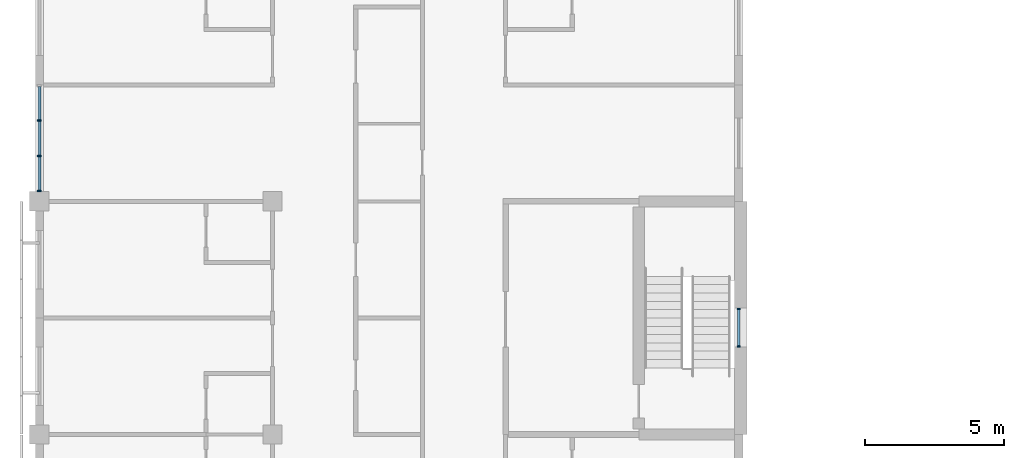
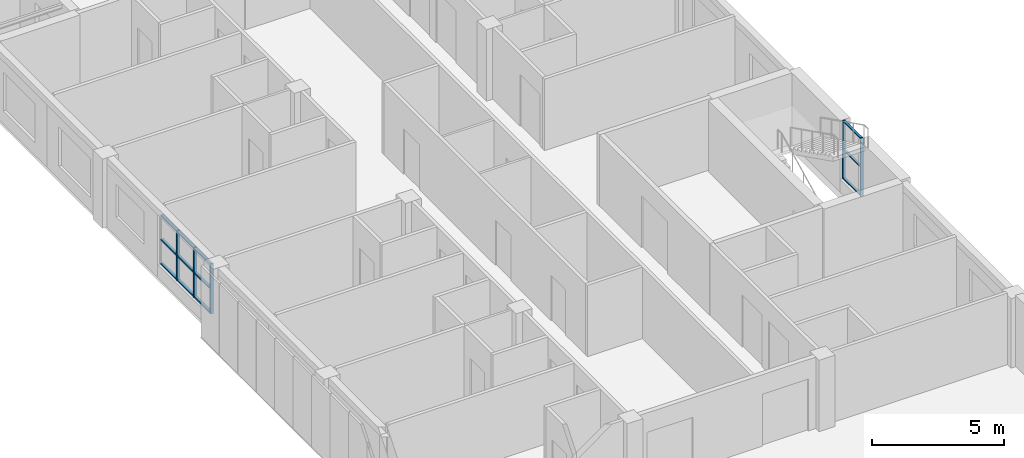
# One storey, part 7 of 48: 17 members, 2 elements without a shape of their own.
"""IFC4 building model written with IfcOpenShell, lengths in metres."""

from ifc_helpers import new_model, si_unit, direction, frame, origin, origin_2d, place, context, subcontext, project, spatial, rectangle, extrude, material, material_profile, profile_set, type_object, element, aggregate, save


model = new_model("IFC4")

# Units and contexts
model_context = context("Model", 3, precision=1e-05, world=origin(), true_north=direction((0.0, 1.0)))
body_context = subcontext(model_context, "Body", "Model", "MODEL_VIEW")
ifc_project = project(units=[si_unit("LENGTHUNIT", "METRE"), si_unit("AREAUNIT", "SQUARE_METRE"), si_unit("VOLUMEUNIT", "CUBIC_METRE"), si_unit("PLANEANGLEUNIT", "RADIAN"), si_unit("MASSUNIT", "GRAM", prefix="KILO")], contexts=[model_context])

# Site, building, storey
site_placement = place(None, origin())
site = spatial("IfcSite", under=ifc_project, at=site_placement, CompositionType="ELEMENT")
building_placement = place(site_placement, origin())
building = spatial("IfcBuilding", under=site, at=building_placement, Name="Yavir Park General Hospital", CompositionType="ELEMENT")
storey_placement = place(building_placement, frame((0.0, 0.0, 26.10009765625)))
storey = spatial("IfcBuildingStorey", under=building, at=storey_placement, Name="L06", CompositionType="ELEMENT", Elevation=26.10009765625)

# Curtain wall, members
ifc_material_1 = material(Name="Aluminium curtain wall frame with insulated glazing", Category="aluminium")
curtain_wall_type_1 = type_object("IfcCurtainWallType", Name="Day room pocket glazing, ward floors, 2300 high, 1400 module", PredefinedType="NOTDEFINED", material=ifc_material_1)
curtain_wall_1_placement = place(storey_placement, origin())
curtain_wall_1 = element("IfcCurtainWall", 1, at=curtain_wall_1_placement, inside=storey, type_object=curtain_wall_type_1, Name="CW63 L06-020", PredefinedType="NOTDEFINED")
ifc_material_2 = material(Name="Aluminium", Category="aluminium")
ifc_material_profile_1 = material_profile(ifc_material_2, rectangle(XDim=0.139892578125, YDim=0.06005859375, at=origin_2d()), Name="AL 60x140")
ifc_profile_set_1 = profile_set([ifc_material_profile_1], Name="Aluminium")
member_type_1 = type_object("IfcMemberType", Name="Day room pocket glazing, ward floors, 2300 high mullion 60 x 140", PredefinedType="MULLION", material=ifc_profile_set_1)
member_1_placement = place(storey_placement, frame((0.0, 50.780029296875, 0.599853515625), z_axis=(0.0, 0.0, 1.0), x_axis=(-1.0, 0.0, 0.0)))
member_1 = element("IfcMember", 2, at=member_1_placement, type_object=member_type_1, Name="CW63 mullion 1", PredefinedType="MULLION", context=body_context, shape_type="SweptSolid", body=[
    extrude(rectangle(XDim=0.139892578125, YDim=0.06005859375, at=origin_2d()), origin(), (0.0, 0.0, 1.0), 2.300048828125),
])
member_2_placement = place(storey_placement, frame((0.0, 52.033447265625, 0.599853515625), z_axis=(0.0, 0.0, 1.0), x_axis=(-1.0, 0.0, 0.0)))
member_2 = element("IfcMember", 3, at=member_2_placement, type_object=member_type_1, Name="CW63 mullion 2", PredefinedType="MULLION", context=body_context, shape_type="SweptSolid", body=[
    extrude(rectangle(XDim=0.139892578125, YDim=0.06005859375, at=origin_2d()), origin(), (0.0, 0.0, 1.0), 2.300048828125),
])
member_3_placement = place(storey_placement, frame((0.0, 53.316650390625, 0.599853515625), z_axis=(0.0, 0.0, 1.0), x_axis=(-1.0, 0.0, 0.0)))
member_3 = element("IfcMember", 4, at=member_3_placement, type_object=member_type_1, Name="CW63 mullion 3", PredefinedType="MULLION", context=body_context, shape_type="SweptSolid", body=[
    extrude(rectangle(XDim=0.139892578125, YDim=0.06005859375, at=origin_2d()), origin(), (0.0, 0.0, 1.0), 2.300048828125),
])
ifc_material_3 = material(Name="Aluminium", Category="aluminium")
ifc_material_profile_2 = material_profile(ifc_material_3, rectangle(XDim=0.1201171875, YDim=0.06005859375, at=origin_2d()), Name="AL 120x60")
ifc_profile_set_2 = profile_set([ifc_material_profile_2], Name="Aluminium")
member_type_2 = type_object("IfcMemberType", Name="Day room pocket glazing, ward floors, 2300 high transom 60 x 120", PredefinedType="MULLION", material=ifc_profile_set_2)
member_4_placement = place(storey_placement, frame((0.0, 50.81005859375, 0.6298828125), z_axis=(0.0, 1.0, 0.0), x_axis=(-1.0, 0.0, 0.0)))
member_4 = element("IfcMember", 5, at=member_4_placement, type_object=member_type_2, Name="CW63 transom 1.1", PredefinedType="MULLION", context=body_context, shape_type="SweptSolid", body=[
    extrude(rectangle(XDim=0.1201171875, YDim=0.06005859375, at=origin_2d()), origin(), (0.0, 0.0, 1.0), 1.193359375),
])
member_5_placement = place(storey_placement, frame((0.0, 50.81005859375, 1.75), z_axis=(0.0, 1.0, 0.0), x_axis=(-1.0, 0.0, 0.0)))
member_5 = element("IfcMember", 6, at=member_5_placement, type_object=member_type_2, Name="CW63 transom 1.2", PredefinedType="MULLION", context=body_context, shape_type="SweptSolid", body=[
    extrude(rectangle(XDim=0.1201171875, YDim=0.06005859375, at=origin_2d()), origin(), (0.0, 0.0, 1.0), 1.193359375),
])
member_6_placement = place(storey_placement, frame((0.0, 50.81005859375, 2.869873046875), z_axis=(0.0, 1.0, 0.0), x_axis=(-1.0, 0.0, 0.0)))
member_6 = element("IfcMember", 7, at=member_6_placement, type_object=member_type_2, Name="CW63 transom 1.3", PredefinedType="MULLION", context=body_context, shape_type="SweptSolid", body=[
    extrude(rectangle(XDim=0.1201171875, YDim=0.06005859375, at=origin_2d()), origin(), (0.0, 0.0, 1.0), 1.193359375),
])
member_7_placement = place(storey_placement, frame((0.0, 52.063232421875, 0.6298828125), z_axis=(0.0, 1.0, 0.0), x_axis=(-1.0, 0.0, 0.0)))
member_7 = element("IfcMember", 8, at=member_7_placement, type_object=member_type_2, Name="CW63 transom 2.1", PredefinedType="MULLION", context=body_context, shape_type="SweptSolid", body=[
    extrude(rectangle(XDim=0.1201171875, YDim=0.06005859375, at=origin_2d()), origin(), (0.0, 0.0, 1.0), 1.223388671875),
])
member_8_placement = place(storey_placement, frame((0.0, 52.063232421875, 1.75), z_axis=(0.0, 1.0, 0.0), x_axis=(-1.0, 0.0, 0.0)))
member_8 = element("IfcMember", 9, at=member_8_placement, type_object=member_type_2, Name="CW63 transom 2.2", PredefinedType="MULLION", context=body_context, shape_type="SweptSolid", body=[
    extrude(rectangle(XDim=0.1201171875, YDim=0.06005859375, at=origin_2d()), origin(), (0.0, 0.0, 1.0), 1.223388671875),
])
member_9_placement = place(storey_placement, frame((0.0, 52.063232421875, 2.869873046875), z_axis=(0.0, 1.0, 0.0), x_axis=(-1.0, 0.0, 0.0)))
member_9 = element("IfcMember", 10, at=member_9_placement, type_object=member_type_2, Name="CW63 transom 2.3", PredefinedType="MULLION", context=body_context, shape_type="SweptSolid", body=[
    extrude(rectangle(XDim=0.1201171875, YDim=0.06005859375, at=origin_2d()), origin(), (0.0, 0.0, 1.0), 1.223388671875),
])
member_10_placement = place(storey_placement, frame((0.0, 53.3466796875, 0.6298828125), z_axis=(0.0, 1.0, 0.0), x_axis=(-1.0, 0.0, 0.0)))
member_10 = element("IfcMember", 11, at=member_10_placement, type_object=member_type_2, Name="CW63 transom 3.1", PredefinedType="MULLION", context=body_context, shape_type="SweptSolid", body=[
    extrude(rectangle(XDim=0.1201171875, YDim=0.06005859375, at=origin_2d()), origin(), (0.0, 0.0, 1.0), 1.193359375),
])
member_11_placement = place(storey_placement, frame((0.0, 53.3466796875, 1.75), z_axis=(0.0, 1.0, 0.0), x_axis=(-1.0, 0.0, 0.0)))
member_11 = element("IfcMember", 12, at=member_11_placement, type_object=member_type_2, Name="CW63 transom 3.2", PredefinedType="MULLION", context=body_context, shape_type="SweptSolid", body=[
    extrude(rectangle(XDim=0.1201171875, YDim=0.06005859375, at=origin_2d()), origin(), (0.0, 0.0, 1.0), 1.193359375),
])
member_12_placement = place(storey_placement, frame((0.0, 53.3466796875, 2.869873046875), z_axis=(0.0, 1.0, 0.0), x_axis=(-1.0, 0.0, 0.0)))
member_12 = element("IfcMember", 13, at=member_12_placement, type_object=member_type_2, Name="CW63 transom 3.3", PredefinedType="MULLION", context=body_context, shape_type="SweptSolid", body=[
    extrude(rectangle(XDim=0.1201171875, YDim=0.06005859375, at=origin_2d()), origin(), (0.0, 0.0, 1.0), 1.193359375),
])
aggregate(curtain_wall_1, [member_1, member_2, member_3, member_4, member_5, member_6, member_7, member_8, member_9, member_10, member_11, member_12])

ifc_material_4 = material(Name="Aluminium curtain wall frame with insulated glazing", Category="aluminium")
curtain_wall_type_2 = type_object("IfcCurtainWallType", Name="Stair light slot, ward floors, 2700 high, 1400 module", PredefinedType="NOTDEFINED", material=ifc_material_4)
curtain_wall_2_placement = place(storey_placement, origin())
curtain_wall_2 = element("IfcCurtainWall", 14, at=curtain_wall_2_placement, inside=storey, type_object=curtain_wall_type_2, Name="CW64 L06-022", PredefinedType="NOTDEFINED")
ifc_material_5 = material(Name="Aluminium", Category="aluminium")
ifc_material_profile_3 = material_profile(ifc_material_5, rectangle(XDim=0.1201171875, YDim=0.050048828125, at=origin_2d()), Name="AL 50x120")
ifc_profile_set_3 = profile_set([ifc_material_profile_3], Name="Aluminium")
member_type_3 = type_object("IfcMemberType", Name="Stair light slot, ward floors, 2700 high mullion 50 x 120", PredefinedType="MULLION", material=ifc_profile_set_3)
member_13_placement = place(storey_placement, frame((25.199951171875, 45.175048828125, 0.599853515625), z_axis=(0.0, 0.0, 1.0), x_axis=(-1.0, 0.0, 0.0)))
member_13 = element("IfcMember", 15, at=member_13_placement, type_object=member_type_3, Name="CW64 mullion 1", PredefinedType="MULLION", context=body_context, shape_type="SweptSolid", body=[
    extrude(rectangle(XDim=0.1201171875, YDim=0.050048828125, at=origin_2d()), origin(), (0.0, 0.0, 1.0), 2.699951171875),
])
member_14_placement = place(storey_placement, frame((25.199951171875, 46.52490234375, 0.599853515625), z_axis=(0.0, 0.0, 1.0), x_axis=(-1.0, 0.0, 0.0)))
member_14 = element("IfcMember", 16, at=member_14_placement, type_object=member_type_3, Name="CW64 mullion 2", PredefinedType="MULLION", context=body_context, shape_type="SweptSolid", body=[
    extrude(rectangle(XDim=0.1201171875, YDim=0.050048828125, at=origin_2d()), origin(), (0.0, 0.0, 1.0), 2.699951171875),
])
ifc_material_6 = material(Name="Aluminium", Category="aluminium")
ifc_material_profile_4 = material_profile(ifc_material_6, rectangle(XDim=0.10009765625, YDim=0.050048828125, at=origin_2d()), Name="AL 100x50")
ifc_profile_set_4 = profile_set([ifc_material_profile_4], Name="Aluminium")
member_type_4 = type_object("IfcMemberType", Name="Stair light slot, ward floors, 2700 high transom 50 x 100", PredefinedType="MULLION", material=ifc_profile_set_4)
member_15_placement = place(storey_placement, frame((25.199951171875, 45.199951171875, 0.625), z_axis=(0.0, 1.0, 0.0), x_axis=(-1.0, 0.0, 0.0)))
member_15 = element("IfcMember", 17, at=member_15_placement, type_object=member_type_4, Name="CW64 transom 1.1", PredefinedType="MULLION", context=body_context, shape_type="SweptSolid", body=[
    extrude(rectangle(XDim=0.10009765625, YDim=0.050048828125, at=origin_2d()), origin(), (0.0, 0.0, 1.0), 1.300048828125),
])
member_16_placement = place(storey_placement, frame((25.199951171875, 45.199951171875, 1.949951171875), z_axis=(0.0, 1.0, 0.0), x_axis=(-1.0, 0.0, 0.0)))
member_16 = element("IfcMember", 18, at=member_16_placement, type_object=member_type_4, Name="CW64 transom 1.2", PredefinedType="MULLION", context=body_context, shape_type="SweptSolid", body=[
    extrude(rectangle(XDim=0.10009765625, YDim=0.050048828125, at=origin_2d()), origin(), (0.0, 0.0, 1.0), 1.300048828125),
])
member_17_placement = place(storey_placement, frame((25.199951171875, 45.199951171875, 3.27490234375), z_axis=(0.0, 1.0, 0.0), x_axis=(-1.0, 0.0, 0.0)))
member_17 = element("IfcMember", 19, at=member_17_placement, type_object=member_type_4, Name="CW64 transom 1.3", PredefinedType="MULLION", context=body_context, shape_type="SweptSolid", body=[
    extrude(rectangle(XDim=0.10009765625, YDim=0.050048828125, at=origin_2d()), origin(), (0.0, 0.0, 1.0), 1.300048828125),
])
aggregate(curtain_wall_2, [member_13, member_14, member_15, member_16, member_17])

save(model, "model.ifc")
